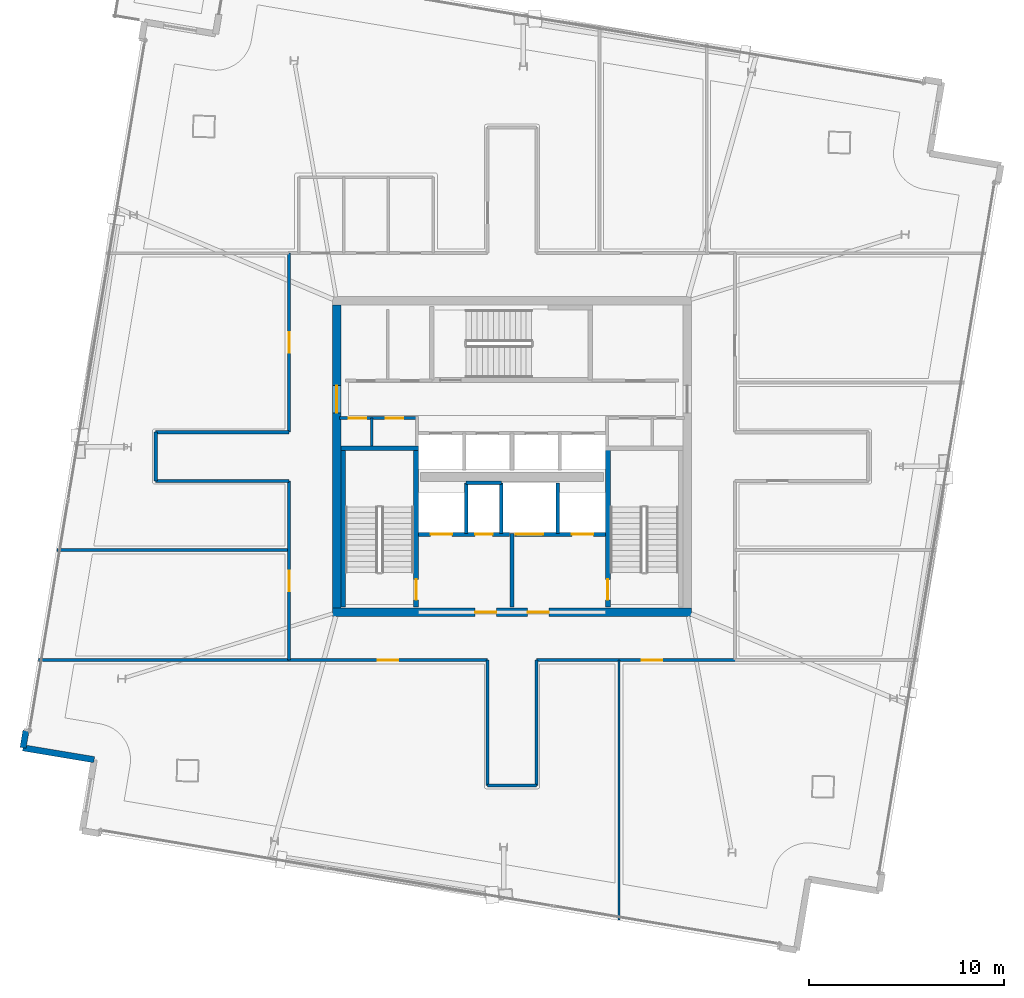
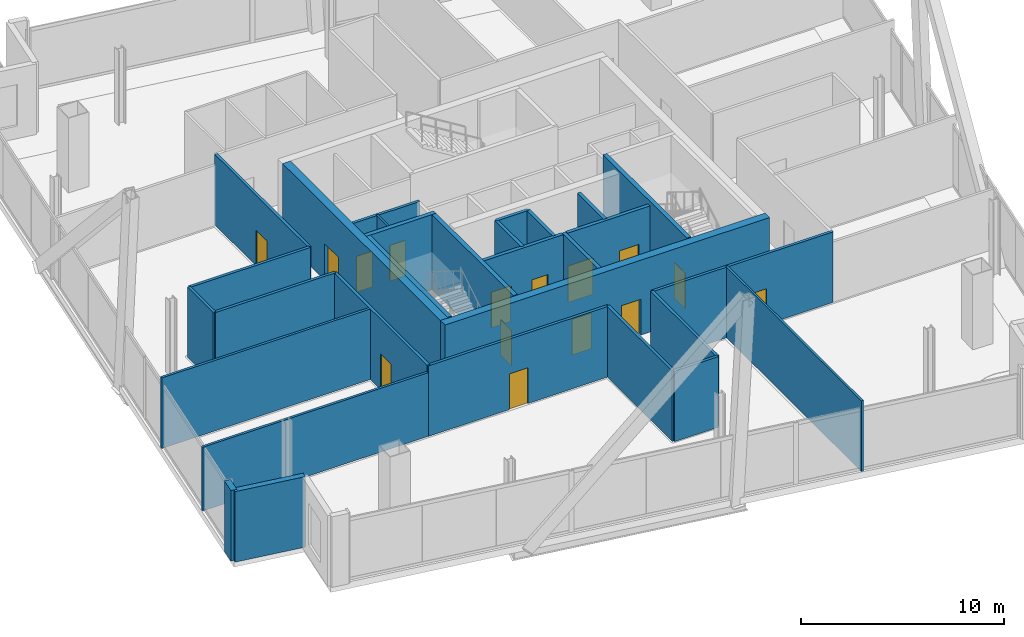
# One storey, part 13 of 18: 30 walls, 15 doors, 15 openings.
"""IFC4 building model written with IfcOpenShell, lengths in metres."""

from ifc_helpers import new_model, si_unit, direction, frame, frame_2d, origin, place, context, subcontext, project, spatial, rectangle, extrude, material, layer, layer_set, type_object, element, fill, save


model = new_model("IFC4")

# Units and contexts
model_context = context("Model", 3, precision=1e-05, world=origin(), true_north=direction((0.0, 1.0)))
body_context = subcontext(model_context, "Body", "Model", "MODEL_VIEW")
ifc_project = project(units=[si_unit("LENGTHUNIT", "METRE"), si_unit("AREAUNIT", "SQUARE_METRE"), si_unit("VOLUMEUNIT", "CUBIC_METRE"), si_unit("PLANEANGLEUNIT", "RADIAN"), si_unit("MASSUNIT", "GRAM", prefix="KILO")], contexts=[model_context])

# Site, building, storey
site_placement = place(None, origin())
site = spatial("IfcSite", under=ifc_project, at=site_placement, CompositionType="ELEMENT")
building_placement = place(site_placement, origin())
building = spatial("IfcBuilding", under=site, at=building_placement, Name="Haldenkirk Collegiate Tower", CompositionType="ELEMENT")
storey_placement = place(building_placement, frame((0.0, 0.0, 298.199951171875)))
storey = spatial("IfcBuildingStorey", under=building, at=storey_placement, Name="L75", CompositionType="ELEMENT", Elevation=298.199951171875)

# Wall, openings, doors
ifc_material_1 = material(Name="Concrete f'c 55 MPa", Category="concrete")
ifc_layer_1 = layer(ifc_material_1, 0.449951171875)
ifc_layer_set_1 = layer_set([ifc_layer_1], Name="Concrete f'c 55 MPa")
wall_type_1 = type_object("IfcWallType", Name="WL-CORE-450", PredefinedType="SHEAR", material=ifc_layer_set_1)
wall_1_placement = place(storey_placement, frame((26.77490234375, 18.0, 0.0), z_axis=(0.0, 0.0, 1.0), x_axis=(1.0, 0.0, 0.0)))
wall_1 = element("IfcWall", 1, at=wall_1_placement, inside=storey, type_object=wall_type_1, Name="L75 central core shear wall S", PredefinedType="SHEAR", context=body_context, shape_type="SweptSolid", body=[
    extrude(rectangle(XDim=18.4501953125, YDim=0.449951171875, at=frame_2d((9.22509765625, 0.0))), origin(), (0.0, 0.0, 1.0), 4.5),
])
opening_1_placement = place(wall_1_placement, frame((7.324951171875, 0.0, 0.0)))
opening_1 = element("IfcOpeningElement", 2, at=opening_1_placement, cuts=wall_1, Name="Opening D-02", PredefinedType="OPENING", context=body_context, shape_type="SweptSolid", body=[
    extrude(rectangle(XDim=1.10009765625, YDim=2.14990234375, at=frame_2d((0.550048828125, 1.074951171875))), frame((0.0, 0.23486328125, 0.0), z_axis=(0.0, -1.0, 0.0), x_axis=(1.0, 0.0, 0.0)), (0.0, 0.0, 1.0), 0.469970703125),
])
opening_2_placement = place(wall_1_placement, frame((10.02490234375, 0.0, 0.0)))
opening_2 = element("IfcOpeningElement", 3, at=opening_2_placement, cuts=wall_1, Name="Opening D-02", PredefinedType="OPENING", context=body_context, shape_type="SweptSolid", body=[
    extrude(rectangle(XDim=1.10009765625, YDim=2.14990234375, at=frame_2d((0.550048828125, 1.074951171875))), frame((0.0, 0.23486328125, 0.0), z_axis=(0.0, -1.0, 0.0), x_axis=(1.0, 0.0, 0.0)), (0.0, 0.0, 1.0), 0.469970703125),
])
ifc_material_2 = material(Name="Galvanized fire-rated hollow steel door", Category="steel")
ifc_layer_2 = layer(ifc_material_2, 0.06005859375)
ifc_layer_set_2 = layer_set([ifc_layer_2], Name="Galvanized fire-rated hollow steel door")
door_type_1 = type_object("IfcDoorType", Name="DR-STAIR-FD90-1100", OperationType="NOTDEFINED", PredefinedType="DOOR", material=ifc_layer_set_2)
door_1_placement = place(opening_1_placement, origin())
door_1 = element("IfcDoor", 4, at=door_1_placement, inside=storey, type_object=door_type_1, Name="L75 Firefighting Lobby 1 door", OperationType="SINGLE_SWING_RIGHT", OverallHeight=2.14990234375, OverallWidth=1.10009765625, PredefinedType="DOOR", context=body_context, shape_type="SweptSolid", body=[
    extrude(rectangle(XDim=1.10009765625, YDim=2.14990234375, at=frame_2d((0.550048828125, 1.074951171875))), frame((0.0, 0.02490234375, 0.0), z_axis=(0.0, -1.0, 0.0), x_axis=(1.0, 0.0, 0.0)), (0.0, 0.0, 1.0), 0.050048828125),
])
fill(opening_1, door_1)
door_2_placement = place(opening_2_placement, origin())
door_2 = element("IfcDoor", 5, at=door_2_placement, inside=storey, type_object=door_type_1, Name="L75 Firefighting Lobby 2 door", OperationType="SINGLE_SWING_LEFT", OverallHeight=2.14990234375, OverallWidth=1.10009765625, PredefinedType="DOOR", context=body_context, shape_type="SweptSolid", body=[
    extrude(rectangle(XDim=1.10009765625, YDim=2.14990234375, at=frame_2d((0.550048828125, 1.074951171875))), frame((0.0, 0.02490234375, 0.0), z_axis=(0.0, -1.0, 0.0), x_axis=(1.0, 0.0, 0.0)), (0.0, 0.0, 1.0), 0.050048828125),
])
fill(opening_2, door_2)

# Wall, opening, door
wall_2_placement = place(storey_placement, frame((27.0, 18.22509765625, 0.0), z_axis=(0.0, 0.0, 1.0), x_axis=(0.0, 1.0, 0.0)))
wall_2 = element("IfcWall", 6, at=wall_2_placement, inside=storey, type_object=wall_type_1, Name="L75 central core shear wall W", PredefinedType="SHEAR", context=body_context, shape_type="SweptSolid", body=[
    extrude(rectangle(XDim=15.5498046875, YDim=0.449951171875, at=frame_2d((7.77490234375, 0.0))), origin(), (0.0, 0.0, 1.0), 4.5),
])
opening_3_placement = place(wall_2_placement, frame((10.014892578125, 0.0, 0.0)))
opening_3 = element("IfcOpeningElement", 7, at=opening_3_placement, cuts=wall_2, Name="Opening D-03", PredefinedType="OPENING", context=body_context, shape_type="SweptSolid", body=[
    extrude(rectangle(XDim=1.39990234375, YDim=2.199951171875, at=frame_2d((0.699951171875, 1.10009765625))), frame((0.0, 0.23486328125, 0.0), z_axis=(0.0, -1.0, 0.0), x_axis=(1.0, 0.0, 0.0)), (0.0, 0.0, 1.0), 0.469970703125),
])
ifc_layer_3 = layer(ifc_material_2, 0.06005859375)
ifc_layer_set_3 = layer_set([ifc_layer_3], Name="Galvanized fire-rated hollow steel door")
door_type_2 = type_object("IfcDoorType", Name="DR-LOBBY-FD90-1400", OperationType="NOTDEFINED", PredefinedType="DOOR", material=ifc_layer_set_3)
door_3_placement = place(opening_3_placement, origin())
door_3 = element("IfcDoor", 8, at=door_3_placement, inside=storey, type_object=door_type_2, Name="L75 west lift lobby portal", OperationType="DOUBLE_DOOR_SINGLE_SWING", OverallHeight=2.199951171875, OverallWidth=1.39990234375, PredefinedType="DOOR", context=body_context, shape_type="SweptSolid", body=[
    extrude(rectangle(XDim=1.39990234375, YDim=2.199951171875, at=frame_2d((0.699951171875, 1.10009765625))), frame((0.0, 0.02490234375, 0.0), z_axis=(0.0, -1.0, 0.0), x_axis=(1.0, 0.0, 0.0)), (0.0, 0.0, 1.0), 0.050048828125),
])
fill(opening_3, door_3)

# Walls
ifc_material_3 = material(Name="Precast concrete f'c 40 MPa", Category="concrete")
ifc_layer_4 = layer(ifc_material_3, 0.320068359375)
ifc_layer_set_4 = layer_set([ifc_layer_4], Name="Precast concrete f'c 40 MPa")
wall_type_2 = type_object("IfcWallType", Name="WL-EXT-TWR-320", PredefinedType="STANDARD", material=ifc_layer_set_4)
wall_3_placement = place(storey_placement, frame((10.886474609375, 11.039794921875, 0.0), z_axis=(0.0, 0.0, 1.0), x_axis=(0.164926823442, 0.98630580598, 0.0)))
element("IfcWall", 9, at=wall_3_placement, inside=storey, type_object=wall_type_2, Name="L75 precast corner pier NL", PredefinedType="STANDARD", context=body_context, shape_type="SweptSolid", body=[
    extrude(rectangle(XDim=0.89990234375, YDim=0.320068359375, at=frame_2d((0.449951171875, 0.0))), origin(), (0.0, 0.0, 1.0), 4.239990234375),
])
wall_4_placement = place(storey_placement, frame((14.53564453125, 10.42919921875, 0.0), z_axis=(0.0, 0.0, 1.0), x_axis=(-0.986288501332, 0.165030276432, 0.0)))
element("IfcWall", 10, at=wall_4_placement, inside=storey, type_object=wall_type_2, Name="L75 bronze precast notch wall 08", PredefinedType="STANDARD", context=body_context, shape_type="SweptSolid", body=[
    extrude(rectangle(XDim=3.699951171875, YDim=0.320068359375, at=frame_2d((1.85009765625, 0.0))), origin(), (0.0, 0.0, 1.0), 4.239990234375),
])

# Wall, openings, doors
ifc_material_4 = material(Name="Acoustic fire-rated gypsum partition", Category="concrete")
ifc_layer_5 = layer(ifc_material_4, 0.159912109375)
ifc_layer_set_5 = layer_set([ifc_layer_5], Name="Acoustic fire-rated gypsum partition")
wall_type_3 = type_object("IfcWallType", Name="WL-INT-CORR-160", PredefinedType="PARTITIONING", material=ifc_layer_set_5)
wall_5_placement = place(storey_placement, frame((27.14990234375, 27.97998046875, 0.0), z_axis=(0.0, 0.0, 1.0), x_axis=(1.0, 0.0, 0.0)))
wall_5 = element("IfcWall", 11, at=wall_5_placement, inside=storey, type_object=wall_type_3, Name="L75 interior partition IW-L75-VCSW-N", PredefinedType="PARTITIONING", context=body_context, shape_type="SweptSolid", body=[
    extrude(rectangle(XDim=4.050048828125, YDim=0.159912109375, at=frame_2d((2.02490234375, 0.0))), origin(), (0.0, 0.0, 1.0), 4.239990234375),
])
opening_4_placement = place(wall_5_placement, frame((0.469970703125, 0.0, 0.0)))
opening_4 = element("IfcOpeningElement", 12, at=opening_4_placement, cuts=wall_5, Name="Opening D-11", PredefinedType="OPENING", context=body_context, shape_type="SweptSolid", body=[
    extrude(rectangle(XDim=0.89990234375, YDim=2.14990234375, at=frame_2d((0.449951171875, 1.074951171875))), frame((0.0, 0.08984375, 0.0), z_axis=(0.0, -1.0, 0.0), x_axis=(1.0, 0.0, 0.0)), (0.0, 0.0, 1.0), 0.179931640625),
])
opening_5_placement = place(wall_5_placement, frame((2.360107421875, 0.0, 0.0)))
opening_5 = element("IfcOpeningElement", 13, at=opening_5_placement, cuts=wall_5, Name="Opening D-11", PredefinedType="OPENING", context=body_context, shape_type="SweptSolid", body=[
    extrude(rectangle(XDim=0.89990234375, YDim=2.14990234375, at=frame_2d((0.449951171875, 1.074951171875))), frame((0.0, 0.08984375, 0.0), z_axis=(0.0, -1.0, 0.0), x_axis=(1.0, 0.0, 0.0)), (0.0, 0.0, 1.0), 0.179931640625),
])
ifc_material_5 = material(Name="Solid-core architectural oak fire door", Category="wood")
ifc_layer_6 = layer(ifc_material_5, 0.06005859375)
ifc_layer_set_6 = layer_set([ifc_layer_6], Name="Solid-core architectural oak fire door")
door_type_3 = type_object("IfcDoorType", Name="DR-INT-FD60-900", OperationType="NOTDEFINED", PredefinedType="DOOR", material=ifc_layer_set_6)
door_4_placement = place(opening_4_placement, origin())
door_4 = element("IfcDoor", 14, at=door_4_placement, inside=storey, type_object=door_type_3, Name="L75 core AV closet door", OperationType="SINGLE_SWING_RIGHT", OverallHeight=2.14990234375, OverallWidth=0.89990234375, PredefinedType="DOOR", context=body_context, shape_type="SweptSolid", body=[
    extrude(rectangle(XDim=0.89990234375, YDim=2.14990234375, at=frame_2d((0.449951171875, 1.074951171875))), frame((0.0, 0.02490234375, 0.0), z_axis=(0.0, -1.0, 0.0), x_axis=(1.0, 0.0, 0.0)), (0.0, 0.0, 1.0), 0.050048828125),
])
fill(opening_4, door_4)
door_5_placement = place(opening_5_placement, origin())
door_5 = element("IfcDoor", 15, at=door_5_placement, inside=storey, type_object=door_type_3, Name="L75 core supply closet door", OperationType="SINGLE_SWING_LEFT", OverallHeight=2.14990234375, OverallWidth=0.89990234375, PredefinedType="DOOR", context=body_context, shape_type="SweptSolid", body=[
    extrude(rectangle(XDim=0.89990234375, YDim=2.14990234375, at=frame_2d((0.449951171875, 1.074951171875))), frame((0.0, 0.02490234375, 0.0), z_axis=(0.0, -1.0, 0.0), x_axis=(1.0, 0.0, 0.0)), (0.0, 0.0, 1.0), 0.050048828125),
])
fill(opening_5, door_5)

# Wall, opening, door
wall_6_placement = place(storey_placement, frame((24.5, 15.550048828125, 0.0), z_axis=(0.0, 0.0, 1.0), x_axis=(1.0, 0.0, 0.0)))
wall_6 = element("IfcWall", 16, at=wall_6_placement, inside=storey, type_object=wall_type_3, Name="L75 interior partition IW-L75-CS1", PredefinedType="PARTITIONING", context=body_context, shape_type="SweptSolid", body=[
    extrude(rectangle(XDim=10.25, YDim=0.159912109375, at=frame_2d((5.125, 0.0))), origin(), (0.0, 0.0, 1.0), 4.239990234375),
])
opening_6_placement = place(wall_6_placement, frame((4.60009765625, 0.0, 0.0)))
opening_6 = element("IfcOpeningElement", 17, at=opening_6_placement, cuts=wall_6, Name="Opening D-09", PredefinedType="OPENING", context=body_context, shape_type="SweptSolid", body=[
    extrude(rectangle(XDim=1.050048828125, YDim=2.14990234375, at=frame_2d((0.52490234375, 1.074951171875))), frame((0.0, 0.08984375, 0.0), z_axis=(0.0, -1.0, 0.0), x_axis=(1.0, 0.0, 0.0)), (0.0, 0.0, 1.0), 0.179931640625),
])
ifc_layer_7 = layer(ifc_material_5, 0.06005859375)
ifc_layer_set_7 = layer_set([ifc_layer_7], Name="Solid-core architectural oak fire door")
door_type_4 = type_object("IfcDoorType", Name="DR-INT-FD60-1050", OperationType="NOTDEFINED", PredefinedType="DOOR", material=ifc_layer_set_7)
door_6_placement = place(opening_6_placement, origin())
door_6 = element("IfcDoor", 18, at=door_6_placement, inside=storey, type_object=door_type_4, Name="L75 Sky-Garden Botanical Conservatory door", OperationType="SINGLE_SWING_RIGHT", OverallHeight=2.14990234375, OverallWidth=1.050048828125, PredefinedType="DOOR", context=body_context, shape_type="SweptSolid", body=[
    extrude(rectangle(XDim=1.050048828125, YDim=2.14990234375, at=frame_2d((0.52490234375, 1.074951171875))), frame((0.0, 0.02490234375, 0.0), z_axis=(0.0, -1.0, 0.0), x_axis=(1.0, 0.0, 0.0)), (0.0, 0.0, 1.0), 0.050048828125),
])
fill(opening_6, door_6)

wall_7_placement = place(storey_placement, frame((37.25, 15.550048828125, 0.0), z_axis=(0.0, 0.0, 1.0), x_axis=(1.0, 0.0, 0.0)))
wall_7 = element("IfcWall", 19, at=wall_7_placement, inside=storey, type_object=wall_type_3, Name="L75 interior partition IW-L75-CS2", PredefinedType="PARTITIONING", context=body_context, shape_type="SweptSolid", body=[
    extrude(rectangle(XDim=10.25, YDim=0.159912109375, at=frame_2d((5.125, 0.0))), origin(), (0.0, 0.0, 1.0), 4.239990234375),
])
opening_7_placement = place(wall_7_placement, frame((5.4189453125, 0.0, 0.0)))
opening_7 = element("IfcOpeningElement", 20, at=opening_7_placement, cuts=wall_7, Name="Opening D-09", PredefinedType="OPENING", context=body_context, shape_type="SweptSolid", body=[
    extrude(rectangle(XDim=1.050048828125, YDim=2.14990234375, at=frame_2d((0.52490234375, 1.074951171875))), frame((0.0, 0.08984375, 0.0), z_axis=(0.0, -1.0, 0.0), x_axis=(1.0, 0.0, 0.0)), (0.0, 0.0, 1.0), 0.179931640625),
])
door_7_placement = place(opening_7_placement, origin())
door_7 = element("IfcDoor", 21, at=door_7_placement, inside=storey, type_object=door_type_4, Name="L75 Campus Design Shop 2 door", OperationType="SINGLE_SWING_LEFT", OverallHeight=2.14990234375, OverallWidth=1.050048828125, PredefinedType="DOOR", context=body_context, shape_type="SweptSolid", body=[
    extrude(rectangle(XDim=1.050048828125, YDim=2.14990234375, at=frame_2d((0.52490234375, 1.074951171875))), frame((0.0, 0.02490234375, 0.0), z_axis=(0.0, -1.0, 0.0), x_axis=(1.0, 0.0, 0.0)), (0.0, 0.0, 1.0), 0.050048828125),
])
fill(opening_7, door_7)

wall_8_placement = place(storey_placement, frame((24.550048828125, 15.550048828125, 0.0), z_axis=(0.0, 0.0, 1.0), x_axis=(0.0, 1.0, 0.0)))
wall_8 = element("IfcWall", 22, at=wall_8_placement, inside=storey, type_object=wall_type_3, Name="L75 interior partition IW-L75-CW1", PredefinedType="PARTITIONING", context=body_context, shape_type="SweptSolid", body=[
    extrude(rectangle(XDim=9.199951171875, YDim=0.159912109375, at=frame_2d((4.60009765625, 0.0))), origin(), (0.0, 0.0, 1.0), 4.239990234375),
])
opening_8_placement = place(wall_8_placement, frame((3.54296875, 0.0, 0.0)))
opening_8 = element("IfcOpeningElement", 23, at=opening_8_placement, cuts=wall_8, Name="Opening D-09", PredefinedType="OPENING", context=body_context, shape_type="SweptSolid", body=[
    extrude(rectangle(XDim=1.050048828125, YDim=2.14990234375, at=frame_2d((0.52490234375, 1.074951171875))), frame((0.0, 0.08984375, 0.0), z_axis=(0.0, -1.0, 0.0), x_axis=(1.0, 0.0, 0.0)), (0.0, 0.0, 1.0), 0.179931640625),
])
door_8_placement = place(opening_8_placement, origin())
door_8 = element("IfcDoor", 24, at=door_8_placement, inside=storey, type_object=door_type_4, Name="L75 Exhibition Gallery Studio 6 door", OperationType="SINGLE_SWING_LEFT", OverallHeight=2.14990234375, OverallWidth=1.050048828125, PredefinedType="DOOR", context=body_context, shape_type="SweptSolid", body=[
    extrude(rectangle(XDim=1.050048828125, YDim=2.14990234375, at=frame_2d((0.52490234375, 1.074951171875))), frame((0.0, 0.02490234375, 0.0), z_axis=(0.0, -1.0, 0.0), x_axis=(1.0, 0.0, 0.0)), (0.0, 0.0, 1.0), 0.050048828125),
])
fill(opening_8, door_8)

wall_9_placement = place(storey_placement, frame((24.550048828125, 27.25, 0.0), z_axis=(0.0, 0.0, 1.0), x_axis=(0.0, 1.0, 0.0)))
wall_9 = element("IfcWall", 25, at=wall_9_placement, inside=storey, type_object=wall_type_3, Name="L75 interior partition IW-L75-CW2", PredefinedType="PARTITIONING", context=body_context, shape_type="SweptSolid", body=[
    extrude(rectangle(XDim=9.199951171875, YDim=0.159912109375, at=frame_2d((4.60009765625, 0.0))), origin(), (0.0, 0.0, 1.0), 4.239990234375),
])
opening_9_placement = place(wall_9_placement, frame((4.074951171875, 0.0, 0.0)))
opening_9 = element("IfcOpeningElement", 26, at=opening_9_placement, cuts=wall_9, Name="Opening D-09", PredefinedType="OPENING", context=body_context, shape_type="SweptSolid", body=[
    extrude(rectangle(XDim=1.050048828125, YDim=2.14990234375, at=frame_2d((0.52490234375, 1.074951171875))), frame((0.0, 0.08984375, 0.0), z_axis=(0.0, -1.0, 0.0), x_axis=(1.0, 0.0, 0.0)), (0.0, 0.0, 1.0), 0.179931640625),
])
door_9_placement = place(opening_9_placement, origin())
door_9 = element("IfcDoor", 27, at=door_9_placement, inside=storey, type_object=door_type_4, Name="L75 Academic Press Bookshop 7 door", OperationType="SINGLE_SWING_RIGHT", OverallHeight=2.14990234375, OverallWidth=1.050048828125, PredefinedType="DOOR", context=body_context, shape_type="SweptSolid", body=[
    extrude(rectangle(XDim=1.050048828125, YDim=2.14990234375, at=frame_2d((0.52490234375, 1.074951171875))), frame((0.0, 0.02490234375, 0.0), z_axis=(0.0, -1.0, 0.0), x_axis=(1.0, 0.0, 0.0)), (0.0, 0.0, 1.0), 0.050048828125),
])
fill(opening_9, door_9)

# Walls
for number, where, z_axis, x_axis, name in (
    (28, (34.75, 9.10009765625, 0.0), (0.0, 0.0, 1.0), (0.0, 1.0, 0.0), "L75 interior partition IW-L75-SPW"),
    (29, (37.25, 9.10009765625, 0.0), (0.0, 0.0, 1.0), (0.0, 1.0, 0.0), "L75 interior partition IW-L75-SPE"),
):
    element("IfcWall", number, at=place(storey_placement, frame(where, z_axis=z_axis, x_axis=x_axis)), inside=storey, type_object=wall_type_3, Name=name, PredefinedType="PARTITIONING", context=body_context, shape_type="SweptSolid", body=[
        extrude(rectangle(XDim=6.449951171875, YDim=0.159912109375, at=frame_2d((3.22509765625, 0.0))), origin(), (0.0, 0.0, 1.0), 4.239990234375),
    ])
wall_10_placement = place(storey_placement, frame((34.75, 9.10009765625, 0.0), z_axis=(0.0, 0.0, 1.0), x_axis=(1.0, 0.0, 0.0)))
element("IfcWall", 30, at=wall_10_placement, inside=storey, type_object=wall_type_3, Name="L75 interior partition IW-L75-SPS", PredefinedType="PARTITIONING", context=body_context, shape_type="SweptSolid", body=[
    extrude(rectangle(XDim=2.5, YDim=0.159912109375, at=frame_2d((1.25, 0.0))), origin(), (0.0, 0.0, 1.0), 4.239990234375),
])
for number, where, z_axis, x_axis, name in (
    (31, (17.699951171875, 24.75, 0.0), (0.0, 0.0, 1.0), (1.0, 0.0, 0.0), "L75 interior partition IW-L75-WPS"),
    (32, (17.699951171875, 27.25, 0.0), (0.0, 0.0, 1.0), (1.0, 0.0, 0.0), "L75 interior partition IW-L75-WPN"),
):
    element("IfcWall", number, at=place(storey_placement, frame(where, z_axis=z_axis, x_axis=x_axis)), inside=storey, type_object=wall_type_3, Name=name, PredefinedType="PARTITIONING", context=body_context, shape_type="SweptSolid", body=[
        extrude(rectangle(XDim=6.85009765625, YDim=0.159912109375, at=frame_2d((3.425048828125, 0.0))), origin(), (0.0, 0.0, 1.0), 4.239990234375),
    ])
wall_11_placement = place(storey_placement, frame((17.699951171875, 24.75, 0.0), z_axis=(0.0, 0.0, 1.0), x_axis=(0.0, 1.0, 0.0)))
element("IfcWall", 33, at=wall_11_placement, inside=storey, type_object=wall_type_3, Name="L75 interior partition IW-L75-WPW", PredefinedType="PARTITIONING", context=body_context, shape_type="SweptSolid", body=[
    extrude(rectangle(XDim=2.5, YDim=0.159912109375, at=frame_2d((1.25, 0.0))), origin(), (0.0, 0.0, 1.0), 4.239990234375),
])
ifc_layer_8 = layer(ifc_material_4, 0.139892578125)
ifc_layer_set_8 = layer_set([ifc_layer_8], Name="Acoustic fire-rated gypsum partition")
wall_type_4 = type_object("IfcWallType", Name="WL-INT-DIV-140", PredefinedType="PARTITIONING", material=ifc_layer_set_8)
wall_12_placement = place(storey_placement, frame((11.681640625, 15.550048828125, 0.0), z_axis=(0.0, 0.0, 1.0), x_axis=(1.0, 0.0, 0.0)))
element("IfcWall", 34, at=wall_12_placement, inside=storey, type_object=wall_type_4, Name="L75 interior partition IW-L75-BWS", PredefinedType="PARTITIONING", context=body_context, shape_type="SweptSolid", body=[
    extrude(rectangle(XDim=12.868408203125, YDim=0.139892578125, at=frame_2d((6.43408203125, 0.0))), origin(), (0.0, 0.0, 1.0), 3.8291015625),
])
wall_13_placement = place(storey_placement, frame((12.627197265625, 21.199951171875, 0.0), z_axis=(0.0, 0.0, 1.0), x_axis=(1.0, 0.0, 0.0)))
element("IfcWall", 35, at=wall_13_placement, inside=storey, type_object=wall_type_4, Name="L75 interior partition IW-L75-RW1", PredefinedType="PARTITIONING", context=body_context, shape_type="SweptSolid", body=[
    extrude(rectangle(XDim=11.9228515625, YDim=0.139892578125, at=frame_2d((5.96142578125, 0.0))), origin(), (0.0, 0.0, 1.0), 4.239990234375),
])
ifc_material_6 = material(Name="Fire-rated gypsum shaftboard assembly", Category="concrete")
ifc_layer_9 = layer(ifc_material_6, 0.179931640625)
ifc_layer_set_9 = layer_set([ifc_layer_9], Name="Fire-rated gypsum shaftboard assembly")
wall_type_5 = type_object("IfcWallType", Name="WL-INT-SHAFT-180", PredefinedType="PARTITIONING", material=ifc_layer_set_9)
for number, where, z_axis, x_axis, name in (
    (36, (33.64990234375, 22.050048828125, 0.0), (0.0, 0.0, 1.0), (0.0, 1.0, 0.0), "L75 interior partition IW-L75-FL1E"),
    (37, (35.449951171875, 22.050048828125, 0.0), (0.0, 0.0, 1.0), (0.0, 1.0, 0.0), "L75 interior partition IW-L75-GL1W"),
):
    element("IfcWall", number, at=place(storey_placement, frame(where, z_axis=z_axis, x_axis=x_axis)), inside=storey, type_object=wall_type_5, Name=name, PredefinedType="PARTITIONING", context=body_context, shape_type="SweptSolid", body=[
        extrude(rectangle(XDim=2.599853515625, YDim=0.179931640625, at=frame_2d((1.2998046875, 0.0))), origin(), (0.0, 0.0, 1.0), 4.239990234375),
    ])
wall_14_placement = place(storey_placement, frame((33.64990234375, 24.64990234375, 0.0), z_axis=(0.0, 0.0, 1.0), x_axis=(1.0, 0.0, 0.0)))
element("IfcWall", 38, at=wall_14_placement, inside=storey, type_object=wall_type_5, Name="L75 interior partition IW-L75-RSRN", PredefinedType="PARTITIONING", context=body_context, shape_type="SweptSolid", body=[
    extrude(rectangle(XDim=1.800048828125, YDim=0.179931640625, at=frame_2d((0.89990234375, 0.0))), origin(), (0.0, 0.0, 1.0), 4.239990234375),
])
wall_15_placement = place(storey_placement, frame((38.35009765625, 22.050048828125, 0.0), z_axis=(0.0, 0.0, 1.0), x_axis=(0.0, 1.0, 0.0)))
element("IfcWall", 39, at=wall_15_placement, inside=storey, type_object=wall_type_5, Name="L75 interior partition IW-L75-GL1E", PredefinedType="PARTITIONING", context=body_context, shape_type="SweptSolid", body=[
    extrude(rectangle(XDim=2.599853515625, YDim=0.179931640625, at=frame_2d((1.2998046875, 0.0))), origin(), (0.0, 0.0, 1.0), 4.239990234375),
])
ifc_layer_10 = layer(ifc_material_6, 0.199951171875)
ifc_layer_set_10 = layer_set([ifc_layer_10], Name="Fire-rated gypsum shaftboard assembly")
wall_type_6 = type_object("IfcWallType", Name="WL-INT-SHAFT-200", PredefinedType="PARTITIONING", material=ifc_layer_set_10)
wall_16_placement = place(storey_placement, frame((36.0, 18.280029296875, 0.0), z_axis=(0.0, 0.0, 1.0), x_axis=(0.0, 1.0, 0.0)))
element("IfcWall", 40, at=wall_16_placement, inside=storey, type_object=wall_type_6, Name="L75 interior partition IW-L75-FFLM", PredefinedType="PARTITIONING", context=body_context, shape_type="SweptSolid", body=[
    extrude(rectangle(XDim=3.77001953125, YDim=0.199951171875, at=frame_2d((1.885009765625, 0.0))), origin(), (0.0, 0.0, 1.0), 4.239990234375),
])

# Wall, openings, doors
wall_17_placement = place(storey_placement, frame((31.18994140625, 22.0, 0.0), z_axis=(0.0, 0.0, 1.0), x_axis=(1.0, 0.0, 0.0)))
wall_17 = element("IfcWall", 41, at=wall_17_placement, inside=storey, type_object=wall_type_6, Name="L75 interior partition IW-L75-FFL1N", PredefinedType="PARTITIONING", context=body_context, shape_type="SweptSolid", body=[
    extrude(rectangle(XDim=4.68994140625, YDim=0.199951171875, at=frame_2d((2.344970703125, 0.0))), origin(), (0.0, 0.0, 1.0), 4.239990234375),
])
opening_10_placement = place(wall_17_placement, frame((2.909912109375, 0.0, 0.0)))
opening_10 = element("IfcOpeningElement", 42, at=opening_10_placement, cuts=wall_17, Name="Opening D-06", PredefinedType="OPENING", context=body_context, shape_type="SweptSolid", body=[
    extrude(rectangle(XDim=0.89990234375, YDim=2.14990234375, at=frame_2d((0.449951171875, 1.074951171875))), frame((0.0, 0.10986328125, 0.0), z_axis=(0.0, -1.0, 0.0), x_axis=(1.0, 0.0, 0.0)), (0.0, 0.0, 1.0), 0.219970703125),
])
opening_11_placement = place(wall_17_placement, frame((0.635009765625, 0.0, 0.0)))
opening_11 = element("IfcOpeningElement", 43, at=opening_11_placement, cuts=wall_17, Name="Opening LD-12", PredefinedType="OPENING", context=body_context, shape_type="SweptSolid", body=[
    extrude(rectangle(XDim=1.10009765625, YDim=2.14990234375, at=frame_2d((0.550048828125, 1.074951171875))), frame((0.0, 0.10986328125, 0.0), z_axis=(0.0, -1.0, 0.0), x_axis=(1.0, 0.0, 0.0)), (0.0, 0.0, 1.0), 0.219970703125),
])
ifc_layer_11 = layer(ifc_material_2, 0.06005859375)
ifc_layer_set_11 = layer_set([ifc_layer_11], Name="Galvanized fire-rated hollow steel door")
door_type_5 = type_object("IfcDoorType", Name="DR-INT-FD90-900", OperationType="NOTDEFINED", PredefinedType="DOOR", material=ifc_layer_set_11)
door_10_placement = place(opening_10_placement, origin())
door_10 = element("IfcDoor", 44, at=door_10_placement, inside=storey, type_object=door_type_5, Name="L75 electrical riser door", OperationType="SINGLE_SWING_RIGHT", OverallHeight=2.14990234375, OverallWidth=0.89990234375, PredefinedType="DOOR", context=body_context, shape_type="SweptSolid", body=[
    extrude(rectangle(XDim=0.89990234375, YDim=2.14990234375, at=frame_2d((0.449951171875, 1.074951171875))), frame((0.0, 0.02490234375, 0.0), z_axis=(0.0, -1.0, 0.0), x_axis=(1.0, 0.0, 0.0)), (0.0, 0.0, 1.0), 0.050048828125),
])
fill(opening_10, door_10)
ifc_material_7 = material(Name="Brushed architectural stainless steel", Category="steel")
ifc_layer_12 = layer(ifc_material_7, 0.06005859375)
ifc_layer_set_12 = layer_set([ifc_layer_12], Name="Brushed architectural stainless steel")
door_type_6 = type_object("IfcDoorType", Name="LD-FIRE-1100", OperationType="NOTDEFINED", PredefinedType="DOOR", material=ifc_layer_set_12)
door_11_placement = place(opening_11_placement, origin())
door_11 = element("IfcDoor", 45, at=door_11_placement, inside=storey, type_object=door_type_6, Name="L75 Elevator FL1 sliding landing door", OperationType="SLIDING_TO_LEFT", OverallHeight=2.14990234375, OverallWidth=1.10009765625, PredefinedType="DOOR", context=body_context, shape_type="SweptSolid", body=[
    extrude(rectangle(XDim=1.10009765625, YDim=2.14990234375, at=frame_2d((0.550048828125, 1.074951171875))), frame((0.0, 0.02490234375, 0.0), z_axis=(0.0, -1.0, 0.0), x_axis=(1.0, 0.0, 0.0)), (0.0, 0.0, 1.0), 0.050048828125),
])
fill(opening_11, door_11)

wall_18_placement = place(storey_placement, frame((36.1201171875, 22.0, 0.0), z_axis=(0.0, 0.0, 1.0), x_axis=(1.0, 0.0, 0.0)))
wall_18 = element("IfcWall", 46, at=wall_18_placement, inside=storey, type_object=wall_type_6, Name="L75 interior partition IW-L75-FFL2N", PredefinedType="PARTITIONING", context=body_context, shape_type="SweptSolid", body=[
    extrude(rectangle(XDim=4.68994140625, YDim=0.199951171875, at=frame_2d((2.344970703125, 0.0))), origin(), (0.0, 0.0, 1.0), 4.239990234375),
])
opening_12_placement = place(wall_18_placement, frame((2.955078125, 0.0, 0.0)))
opening_12 = element("IfcOpeningElement", 47, at=opening_12_placement, cuts=wall_18, Name="Opening LD-12", PredefinedType="OPENING", context=body_context, shape_type="SweptSolid", body=[
    extrude(rectangle(XDim=1.10009765625, YDim=2.14990234375, at=frame_2d((0.550048828125, 1.074951171875))), frame((0.0, 0.10986328125, 0.0), z_axis=(0.0, -1.0, 0.0), x_axis=(1.0, 0.0, 0.0)), (0.0, 0.0, 1.0), 0.219970703125),
])
opening_13_placement = place(wall_18_placement, frame((0.080078125, 0.0, 0.0)))
opening_13 = element("IfcOpeningElement", 48, at=opening_13_placement, cuts=wall_18, Name="Opening LD-13", PredefinedType="OPENING", context=body_context, shape_type="SweptSolid", body=[
    extrude(rectangle(XDim=1.39990234375, YDim=2.199951171875, at=frame_2d((0.699951171875, 1.10009765625))), frame((0.0, 0.10986328125, 0.0), z_axis=(0.0, -1.0, 0.0), x_axis=(1.0, 0.0, 0.0)), (0.0, 0.0, 1.0), 0.219970703125),
])
door_12_placement = place(opening_12_placement, origin())
door_12 = element("IfcDoor", 49, at=door_12_placement, inside=storey, type_object=door_type_6, Name="L75 Elevator FL2 sliding landing door", OperationType="SLIDING_TO_LEFT", OverallHeight=2.14990234375, OverallWidth=1.10009765625, PredefinedType="DOOR", context=body_context, shape_type="SweptSolid", body=[
    extrude(rectangle(XDim=1.10009765625, YDim=2.14990234375, at=frame_2d((0.550048828125, 1.074951171875))), frame((0.0, 0.02490234375, 0.0), z_axis=(0.0, -1.0, 0.0), x_axis=(1.0, 0.0, 0.0)), (0.0, 0.0, 1.0), 0.050048828125),
])
fill(opening_12, door_12)
ifc_layer_13 = layer(ifc_material_7, 0.06005859375)
ifc_layer_set_13 = layer_set([ifc_layer_13], Name="Brushed architectural stainless steel")
door_type_7 = type_object("IfcDoorType", Name="LD-GOODS-1400", OperationType="NOTDEFINED", PredefinedType="DOOR", material=ifc_layer_set_13)
door_13_placement = place(opening_13_placement, origin())
door_13 = element("IfcDoor", 50, at=door_13_placement, inside=storey, type_object=door_type_7, Name="L75 Elevator GL1 sliding landing door", OperationType="SLIDING_TO_LEFT", OverallHeight=2.199951171875, OverallWidth=1.39990234375, PredefinedType="DOOR", context=body_context, shape_type="SweptSolid", body=[
    extrude(rectangle(XDim=1.39990234375, YDim=2.199951171875, at=frame_2d((0.699951171875, 1.10009765625))), frame((0.0, 0.02490234375, 0.0), z_axis=(0.0, -1.0, 0.0), x_axis=(1.0, 0.0, 0.0)), (0.0, 0.0, 1.0), 0.050048828125),
])
fill(opening_13, door_13)

# Walls
ifc_layer_14 = layer(ifc_material_4, 0.1201171875)
ifc_layer_set_14 = layer_set([ifc_layer_14], Name="Acoustic fire-rated gypsum partition")
wall_type_7 = type_object("IfcWallType", Name="WL-INT-WET-120", PredefinedType="PARTITIONING", material=ifc_layer_set_14)
wall_19_placement = place(storey_placement, frame((28.800048828125, 26.5400390625, 0.0), z_axis=(0.0, 0.0, 1.0), x_axis=(0.0, 1.0, 0.0)))
element("IfcWall", 51, at=wall_19_placement, inside=storey, type_object=wall_type_7, Name="L75 interior partition IW-L75-VCSW-M", PredefinedType="PARTITIONING", context=body_context, shape_type="SweptSolid", body=[
    extrude(rectangle(XDim=1.43994140625, YDim=0.1201171875, at=frame_2d((0.719970703125, 0.0))), origin(), (0.0, 0.0, 1.0), 4.239990234375),
])
wall_20_placement = place(storey_placement, frame((41.5, 2.205810546875, 0.0), z_axis=(0.0, 0.0, 1.0), x_axis=(0.0, 1.0, 0.0)))
element("IfcWall", 52, at=wall_20_placement, inside=storey, type_object=wall_type_7, Name="L75 interior partition IW-L75-RS1", PredefinedType="PARTITIONING", context=body_context, shape_type="SweptSolid", body=[
    extrude(rectangle(XDim=13.34423828125, YDim=0.1201171875, at=frame_2d((6.672119140625, 0.0))), origin(), (0.0, 0.0, 1.0), 4.239990234375),
])

# Wall, opening, door
ifc_layer_15 = layer(ifc_material_1, 0.239990234375)
ifc_layer_set_15 = layer_set([ifc_layer_15], Name="Concrete f'c 55 MPa")
wall_type_8 = type_object("IfcWallType", Name="WL-SHAFT-240", PredefinedType="SHEAR", material=ifc_layer_set_15)
wall_21_placement = place(storey_placement, frame((31.070068359375, 18.280029296875, 0.0), z_axis=(0.0, 0.0, 1.0), x_axis=(0.0, 1.0, 0.0)))
wall_21 = element("IfcWall", 53, at=wall_21_placement, inside=storey, type_object=wall_type_8, Name="L75 stair shaft shear wall SW-L75-ST1E", PredefinedType="SHEAR", context=body_context, shape_type="SweptSolid", body=[
    extrude(rectangle(XDim=8.260009765625, YDim=0.239990234375, at=frame_2d((4.1298828125, 0.0))), origin(), (0.0, 0.0, 1.0), 4.5),
])
opening_14_placement = place(wall_21_placement, frame((0.364990234375, 0.0, 0.0)))
opening_14 = element("IfcOpeningElement", 54, at=opening_14_placement, cuts=wall_21, Name="Opening D-01", PredefinedType="OPENING", context=body_context, shape_type="SweptSolid", body=[
    extrude(rectangle(XDim=1.050048828125, YDim=2.14990234375, at=frame_2d((0.52490234375, 1.074951171875))), frame((0.0, 0.1298828125, 0.0), z_axis=(0.0, -1.0, 0.0), x_axis=(1.0, 0.0, 0.0)), (0.0, 0.0, 1.0), 0.260009765625),
])
ifc_layer_16 = layer(ifc_material_2, 0.06005859375)
ifc_layer_set_16 = layer_set([ifc_layer_16], Name="Galvanized fire-rated hollow steel door")
door_type_8 = type_object("IfcDoorType", Name="DR-STAIR-FD90-1050", OperationType="NOTDEFINED", PredefinedType="DOOR", material=ifc_layer_set_16)
door_14_placement = place(opening_14_placement, origin())
door_14 = element("IfcDoor", 55, at=door_14_placement, inside=storey, type_object=door_type_8, Name="L75 Stair 1 door", OperationType="SINGLE_SWING_LEFT", OverallHeight=2.14990234375, OverallWidth=1.050048828125, PredefinedType="DOOR", context=body_context, shape_type="SweptSolid", body=[
    extrude(rectangle(XDim=1.050048828125, YDim=2.14990234375, at=frame_2d((0.52490234375, 1.074951171875))), frame((0.0, 0.02490234375, 0.0), z_axis=(0.0, -1.0, 0.0), x_axis=(1.0, 0.0, 0.0)), (0.0, 0.0, 1.0), 0.050048828125),
])
fill(opening_14, door_14)

# Walls
wall_22_placement = place(storey_placement, frame((27.2099609375, 26.419921875, 0.0), z_axis=(0.0, 0.0, 1.0), x_axis=(1.0, 0.0, 0.0)))
element("IfcWall", 56, at=wall_22_placement, inside=storey, type_object=wall_type_8, Name="L75 stair shaft shear wall SW-L75-ST1N", PredefinedType="SHEAR", context=body_context, shape_type="SweptSolid", body=[
    extrude(rectangle(XDim=3.97998046875, YDim=0.239990234375, at=frame_2d((1.989990234375, 0.0))), origin(), (0.0, 0.0, 1.0), 4.5),
])
wall_23_placement = place(storey_placement, frame((27.330078125, 18.280029296875, 0.0), z_axis=(0.0, 0.0, 1.0), x_axis=(0.0, 1.0, 0.0)))
element("IfcWall", 57, at=wall_23_placement, inside=storey, type_object=wall_type_8, Name="L75 stair shaft shear wall SW-L75-ST1W", PredefinedType="SHEAR", context=body_context, shape_type="SweptSolid", body=[
    extrude(rectangle(XDim=8.260009765625, YDim=0.239990234375, at=frame_2d((4.1298828125, 0.0))), origin(), (0.0, 0.0, 1.0), 4.5),
])

# Wall, opening, door
wall_24_placement = place(storey_placement, frame((40.929931640625, 18.280029296875, 0.0), z_axis=(0.0, 0.0, 1.0), x_axis=(0.0, 1.0, 0.0)))
wall_24 = element("IfcWall", 58, at=wall_24_placement, inside=storey, type_object=wall_type_8, Name="L75 stair shaft shear wall SW-L75-ST2W", PredefinedType="SHEAR", context=body_context, shape_type="SweptSolid", body=[
    extrude(rectangle(XDim=8.260009765625, YDim=0.239990234375, at=frame_2d((4.1298828125, 0.0))), origin(), (0.0, 0.0, 1.0), 4.5),
])
opening_15_placement = place(wall_24_placement, frame((0.364990234375, 0.0, 0.0)))
opening_15 = element("IfcOpeningElement", 59, at=opening_15_placement, cuts=wall_24, Name="Opening D-01", PredefinedType="OPENING", context=body_context, shape_type="SweptSolid", body=[
    extrude(rectangle(XDim=1.050048828125, YDim=2.14990234375, at=frame_2d((0.52490234375, 1.074951171875))), frame((0.0, 0.1298828125, 0.0), z_axis=(0.0, -1.0, 0.0), x_axis=(1.0, 0.0, 0.0)), (0.0, 0.0, 1.0), 0.260009765625),
])
door_15_placement = place(opening_15_placement, origin())
door_15 = element("IfcDoor", 60, at=door_15_placement, inside=storey, type_object=door_type_8, Name="L75 Stair 2 door", OperationType="SINGLE_SWING_RIGHT", OverallHeight=2.14990234375, OverallWidth=1.050048828125, PredefinedType="DOOR", context=body_context, shape_type="SweptSolid", body=[
    extrude(rectangle(XDim=1.050048828125, YDim=2.14990234375, at=frame_2d((0.52490234375, 1.074951171875))), frame((0.0, 0.02490234375, 0.0), z_axis=(0.0, -1.0, 0.0), x_axis=(1.0, 0.0, 0.0)), (0.0, 0.0, 1.0), 0.050048828125),
])
fill(opening_15, door_15)

save(model, "model.ifc")
